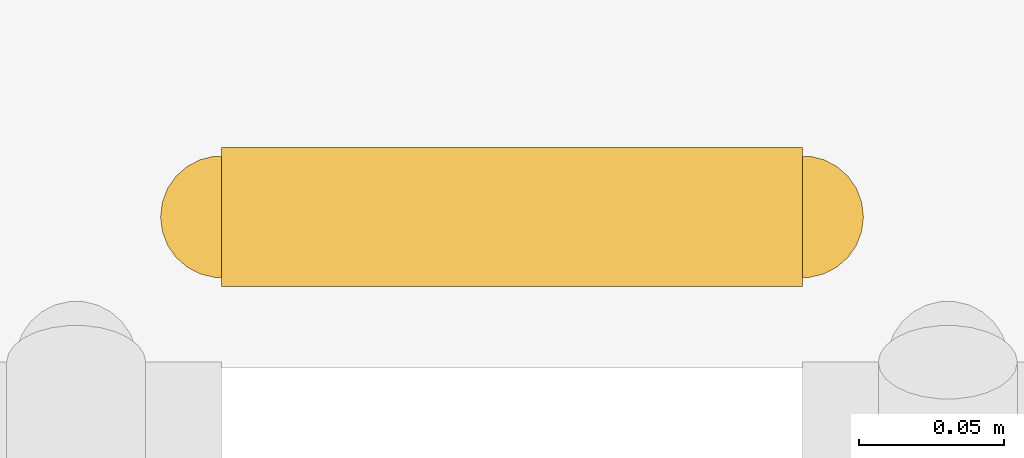
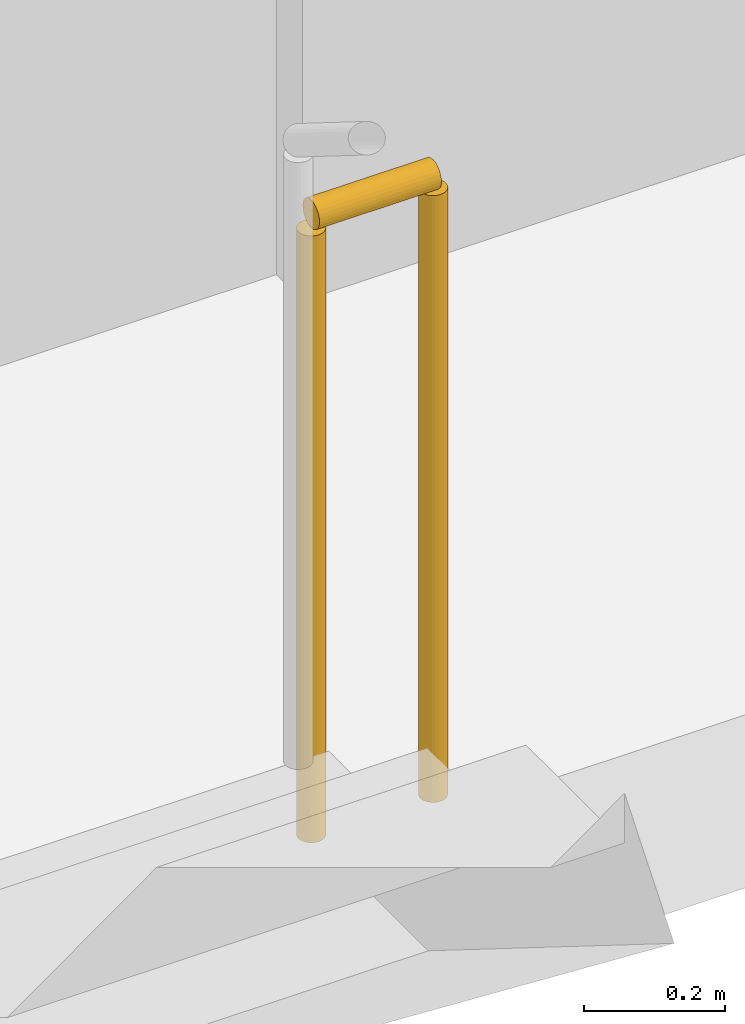
# One storey, part 21 of 21: 1 railing.
"""IFC4 building model written with IfcOpenShell, lengths in metres."""

from ifc_helpers import new_model, si_unit, direction, frame, origin, origin_2d, place, context, subcontext, project, spatial, circle, extrude, material, type_object, element, save


model = new_model("IFC4")

# Units and contexts
model_context = context("Model", 3, precision=1e-05, world=origin(), true_north=direction((0.0, 1.0)))
body_context = subcontext(model_context, "Body", "Model", "MODEL_VIEW")
ifc_project = project(units=[si_unit("LENGTHUNIT", "METRE"), si_unit("AREAUNIT", "SQUARE_METRE"), si_unit("VOLUMEUNIT", "CUBIC_METRE"), si_unit("PLANEANGLEUNIT", "RADIAN"), si_unit("MASSUNIT", "GRAM", prefix="KILO")], contexts=[model_context])

# Site, building, storey
site_placement = place(None, origin())
site = spatial("IfcSite", under=ifc_project, at=site_placement, CompositionType="ELEMENT")
building_placement = place(site_placement, origin())
building = spatial("IfcBuilding", under=site, at=building_placement, Name="Kiln Ring Residences", CompositionType="ELEMENT")
storey_placement = place(building_placement, frame((0.0, 0.0, 48.0)))
storey = spatial("IfcBuildingStorey", under=building, at=storey_placement, Name="L11", CompositionType="ELEMENT", Elevation=48.0)

# Railing
ifc_material = material(Name="Stainless steel", Category="steel")
railing_type = type_object("IfcRailingType", Name="CORE-STAIR-GUARD", PredefinedType="GUARDRAIL", material=ifc_material)
railing_placement = place(storey_placement, frame((22.0, 8.449951171875, 0.0)))
element("IfcRailing", 1, at=railing_placement, inside=storey, type_object=railing_type, Name="L11 E-STN stair guard 4", PredefinedType="GUARDRAIL", context=body_context, shape_type="SweptSolid", body=[
    extrude(circle(Radius=0.02392578125, at=origin_2d()), frame((0.0, 0.0, 1.076171875), z_axis=(1.0, 0.0, 0.0), x_axis=(0.0, 1.0, 0.0)), (0.0, 0.0, 1.0), 0.199951171875),
    extrude(circle(Radius=0.02099609375, at=origin_2d()), origin(), (0.0, 0.0, 1.0), 1.052001953125),
    extrude(circle(Radius=0.02099609375, at=origin_2d()), frame((0.199951171875, 0.0, 0.0)), (0.0, 0.0, 1.0), 1.052001953125),
])

save(model, "model.ifc")
